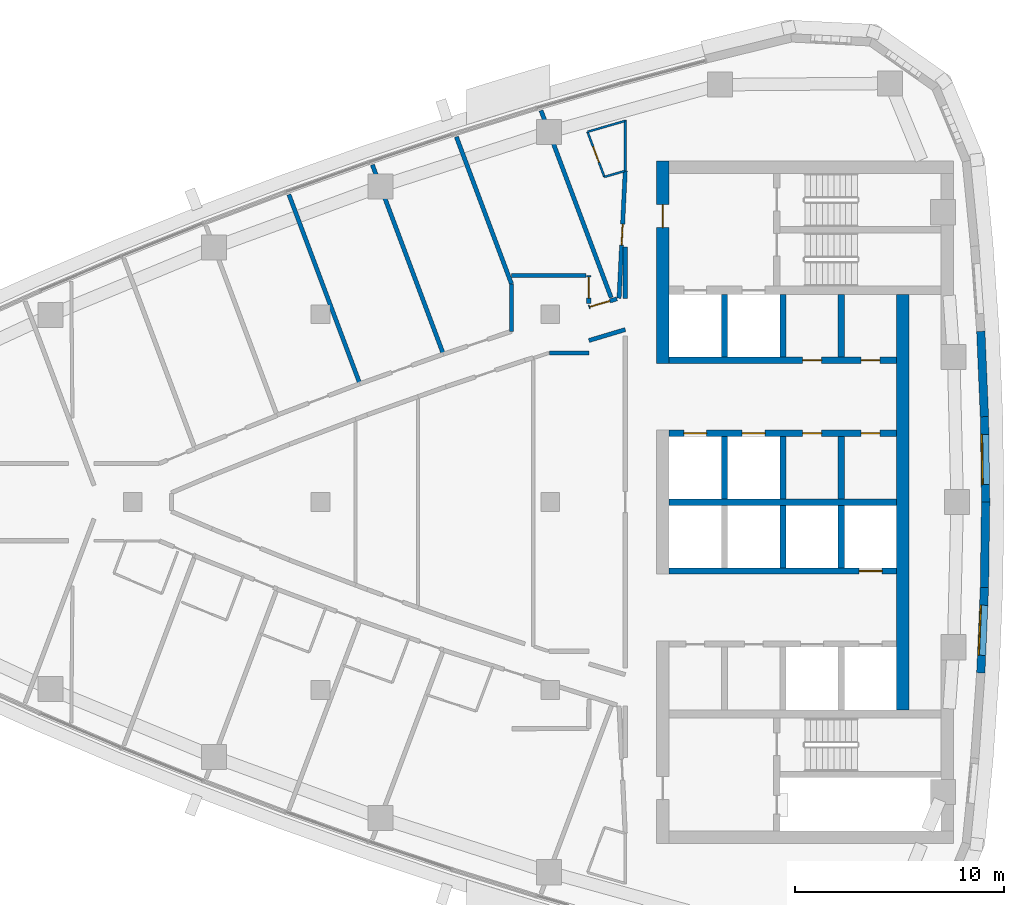
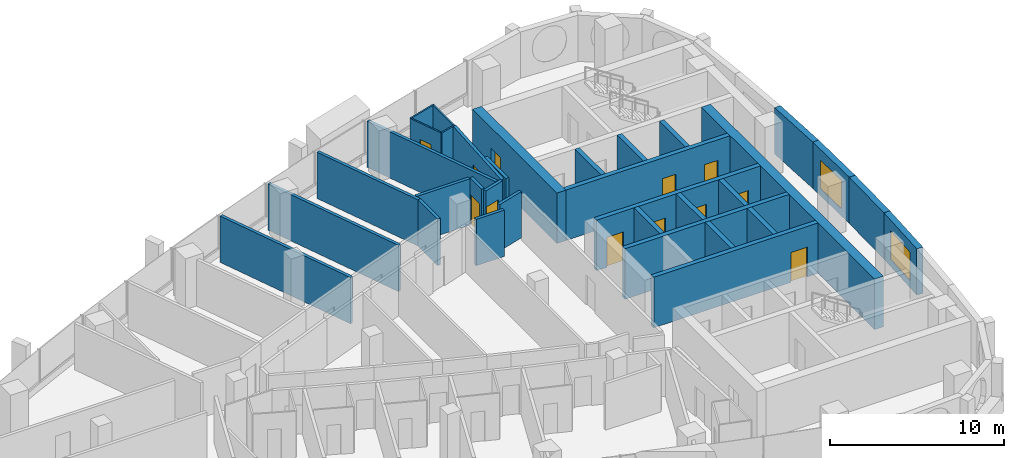
# One storey, part 11 of 16: 34 walls, 12 doors, 2 windows, 14 openings.
"""IFC4 building model written with IfcOpenShell, lengths in metres."""

import ifcopenshell
import ifcopenshell.guid

model = None  # the IFC model being written
_history = None  # IfcOwnerHistory: only IFC2X3 demands one
_inside = {}  # id of a spatial element -> (the spatial element, [elements in it])
_under = {}  # id of a project, library or spatial element -> (it, [spatial elements below it])
_declared = {}  # id of a project -> (the project, [libraries it declares])
_typed = {}  # id of a type object -> (the type object, [elements of that type])
_made_of = {}  # id of a material, layer set ... -> (it, [elements and type objects made of it])


def new_model(schema):
    """Start an empty IFC model of exactly this schema.

    Asked for "IFC4X3", IfcOpenShell would pick the latest addendum, in which some entities
    have other attributes; the version numbers below select the first issue.
    IFC2X3 requires an IfcOwnerHistory on every rooted entity: one is made here for all.
    """
    global model, _history
    if schema == "IFC4X3":
        model = ifcopenshell.file(schema_version=(4, 3, 0, 0))
    else:
        model = ifcopenshell.file(schema=schema)
    _inside.clear()
    _under.clear()
    _declared.clear()
    _typed.clear()
    _made_of.clear()
    _history = None
    if model.schema == "IFC2X3":
        org = make("IfcOrganization", Name="unknown")
        user = make(
            "IfcPersonAndOrganization",
            ThePerson=make("IfcPerson", FamilyName="unknown"),
            TheOrganization=org,
        )
        app = make(
            "IfcApplication",
            ApplicationDeveloper=org,
            Version="unknown",
            ApplicationFullName="unknown",
            ApplicationIdentifier="unknown",
        )
        _history = make(
            "IfcOwnerHistory",
            OwningUser=user,
            OwningApplication=app,
            ChangeAction="ADDED",
            CreationDate=0,
        )
    return model


def make(cls, **values):
    """One entity of the class cls with the attributes given. An attribute that is None is left unset."""
    return model.create_entity(
        cls, **{name: value for name, value in values.items() if value is not None}
    )


def rooted(cls, **values):
    """An entity with a GlobalId (a new one), such as an element, a storey or a relation."""
    return make(cls, GlobalId=ifcopenshell.guid.new(), OwnerHistory=_history, **values)


def si_unit(unit_type, name, prefix=None):
    """IfcSIUnit, for example si_unit("LENGTHUNIT", "METRE", prefix="MILLI")."""
    return make("IfcSIUnit", UnitType=unit_type, Prefix=prefix, Name=name)


def assignment(units):
    """IfcUnitAssignment: the units of a project."""
    return None if units is None else make("IfcUnitAssignment", Units=units)


def point(xyz):
    """IfcCartesianPoint."""
    return None if xyz is None else make("IfcCartesianPoint", Coordinates=xyz)


def direction(xyz):
    """IfcDirection."""
    return None if xyz is None else make("IfcDirection", DirectionRatios=xyz)


def frame(location, z_axis=None, x_axis=None):
    """IfcAxis2Placement3D, a coordinate frame: its origin and axes. An axis left out is left unset."""
    return make(
        "IfcAxis2Placement3D",
        Location=point(location),
        Axis=direction(z_axis),
        RefDirection=direction(x_axis),
    )


def frame_2d(location, x_axis=None):
    """IfcAxis2Placement2D, a coordinate frame in the plane: its origin and x axis."""
    return make(
        "IfcAxis2Placement2D", Location=point(location), RefDirection=direction(x_axis)
    )


def origin():
    """The frame at (0, 0, 0) with its axes left unset."""
    return frame((0.0, 0.0, 0.0))


def place(relative_to, where):
    """IfcLocalPlacement: puts the frame where relative to a parent placement (None: the world)."""
    return make(
        "IfcLocalPlacement", PlacementRelTo=relative_to, RelativePlacement=where
    )


def context(
    kind, dimensions, precision=None, world=None, true_north=None, identifier=None
):
    """IfcGeometricRepresentationContext, for example the 3D "Model" context."""
    return make(
        "IfcGeometricRepresentationContext",
        ContextIdentifier=identifier,
        ContextType=kind,
        CoordinateSpaceDimension=dimensions,
        Precision=precision,
        WorldCoordinateSystem=world,
        TrueNorth=true_north,
    )


def subcontext(parent, identifier, kind, view, scale=None):
    """IfcGeometricRepresentationSubContext, for example "Body" below "Model"."""
    return make(
        "IfcGeometricRepresentationSubContext",
        ContextIdentifier=identifier,
        ContextType=kind,
        ParentContext=parent,
        TargetScale=scale,
        TargetView=view,
    )


def project(units=None, contexts=None):
    """IfcProject with its units and contexts."""
    return rooted(
        "IfcProject",
        Name="project",
        RepresentationContexts=contexts,
        UnitsInContext=assignment(units),
    )


def spatial(cls, under=None, at=None, **own):
    """A site, building, storey or space (cls), placed at a placement, below another one or the project."""
    s = rooted(cls, ObjectPlacement=at, **own)
    if under is not None:
        _under.setdefault(under.id(), (under, []))[1].append(s)
    return s


def polyline(points):
    """IfcPolyline through the points."""
    return make("IfcPolyline", Points=[point(p) for p in points])


def profile(cls, at=None, kind="AREA", **sizes):
    """A parametric profile (cls). Its sizes go by their IFC names, for example OverallWidth=200.0."""
    return make(cls, ProfileType=kind, Position=at, **sizes)


def rectangle(**sizes):
    """IfcRectangleProfileDef."""
    return profile("IfcRectangleProfileDef", **sizes)


def outline(outer, holes=None, kind="AREA"):
    """IfcArbitraryClosedProfileDef: a profile drawn as a closed curve; with holes, ...WithVoids."""
    if holes is None:
        return make("IfcArbitraryClosedProfileDef", ProfileType=kind, OuterCurve=outer)
    return make(
        "IfcArbitraryProfileDefWithVoids",
        ProfileType=kind,
        OuterCurve=outer,
        InnerCurves=holes,
    )


def extrude(swept, where, along, depth):
    """IfcExtrudedAreaSolid: the profile swept, set in the frame where, extruded along a direction by depth."""
    return make(
        "IfcExtrudedAreaSolid",
        SweptArea=swept,
        Position=where,
        ExtrudedDirection=direction(along),
        Depth=depth,
    )


def shape(context_of_items, identifier, shape_type, items):
    """IfcShapeRepresentation: the items that make up one representation, for example the "Body"."""
    return make(
        "IfcShapeRepresentation",
        ContextOfItems=context_of_items,
        RepresentationIdentifier=identifier,
        RepresentationType=shape_type,
        Items=items,
    )


def material(Name=None, Category=None):
    """IfcMaterial."""
    return make("IfcMaterial", Name=Name, Category=Category)


def layer(
    of_material, thickness, ventilated=None, Name=None, Category=None, Priority=None
):
    """IfcMaterialLayer: one layer of a wall or slab, of a material (None: an air gap)."""
    return make(
        "IfcMaterialLayer",
        Material=of_material,
        LayerThickness=thickness,
        IsVentilated=ventilated,
        Name=Name,
        Category=Category,
        Priority=Priority,
    )


def layer_set(layers, Name=None):
    """IfcMaterialLayerSet."""
    return make("IfcMaterialLayerSet", MaterialLayers=layers, LayerSetName=Name)


def made_of(thing, what):
    """Note that an element or type object is made of a material, layer set ...; save() writes the relation."""
    if what is not None:
        _made_of.setdefault(what.id(), (what, []))[1].append(thing)
    return thing


def type_object(cls, material=None, **own):
    """A type object (cls), such as IfcWallType, which elements share."""
    return made_of(rooted(cls, **own), material)


def element(
    cls,
    number,
    at=None,
    inside=None,
    cuts=None,
    type_object=None,
    material=None,
    context=None,
    identifier="Body",
    shape_type=None,
    held_by="IfcProductDefinitionShape",
    body=None,
    shapes=None,
    **own,
):
    """One element of the class cls, such as IfcWall. Its Tag is "e" and its number.

    at: its placement. inside: the storey or other place that contains it. cuts: it is an
    opening in that element (IfcRelVoidsElement). A single representation is given by context,
    identifier, shape_type and body (its items); several are given by shapes. held_by: the class
    of the entity that holds the representations. save() writes the other relations.
    """
    e = rooted(cls, Tag="e%d" % number, ObjectPlacement=at, **own)
    if body is not None:
        shapes = [shape(context, identifier, shape_type, body)]
    if shapes is not None:
        e.Representation = make(held_by, Representations=shapes)
    if inside is not None:
        _inside.setdefault(inside.id(), (inside, []))[1].append(e)
    if cuts is not None:
        rooted(
            "IfcRelVoidsElement", RelatingBuildingElement=cuts, RelatedOpeningElement=e
        )
    if type_object is not None:
        _typed.setdefault(type_object.id(), (type_object, []))[1].append(e)
    return made_of(e, material)


def fill(opening, filler):
    """IfcRelFillsElement: the door or window that sits in an opening."""
    return rooted(
        "IfcRelFillsElement",
        RelatingOpeningElement=opening,
        RelatedBuildingElement=filler,
    )


def aggregate(whole, parts):
    """IfcRelAggregates: a whole, such as a stair, and the parts it consists of."""
    return rooted("IfcRelAggregates", RelatingObject=whole, RelatedObjects=parts)


def save(model, path):
    """Write the relations noted so far, then the file.

    IfcRelAggregates (storeys below a building ...), IfcRelContainedInSpatialStructure (elements
    in a storey), IfcRelDefinesByType, IfcRelAssociatesMaterial and IfcRelDeclares: one each for
    every whole, place, type object, material and project.
    """
    for whole, parts in _under.values():
        aggregate(whole, parts)
    for where, things in _inside.values():
        rooted(
            "IfcRelContainedInSpatialStructure",
            RelatedElements=things,
            RelatingStructure=where,
        )
    for kind, things in _typed.values():
        rooted("IfcRelDefinesByType", RelatedObjects=things, RelatingType=kind)
    for what, things in _made_of.values():
        rooted("IfcRelAssociatesMaterial", RelatedObjects=things, RelatingMaterial=what)
    for by, libraries in _declared.values():
        rooted("IfcRelDeclares", RelatingContext=by, RelatedDefinitions=libraries)
    model.write(path)


model = new_model("IFC4")

# Units and contexts
model_context = context("Model", 3, precision=1e-05, world=origin(), true_north=direction((0.0, 1.0)))
body_context = subcontext(model_context, "Body", "Model", "MODEL_VIEW")
ifc_project = project(units=[si_unit("LENGTHUNIT", "METRE"), si_unit("AREAUNIT", "SQUARE_METRE"), si_unit("VOLUMEUNIT", "CUBIC_METRE"), si_unit("PLANEANGLEUNIT", "RADIAN"), si_unit("MASSUNIT", "GRAM", prefix="KILO")], contexts=[model_context])

# Site, building, storey
site_placement = place(None, origin())
site = spatial("IfcSite", under=ifc_project, at=site_placement, CompositionType="ELEMENT")
building_placement = place(site_placement, origin())
building = spatial("IfcBuilding", under=site, at=building_placement, Name="Ostrand Prow Hotel Tower", CompositionType="ELEMENT")
storey_placement = place(building_placement, frame((0.0, 0.0, 245.64990234375)))
storey = spatial("IfcBuildingStorey", under=building, at=storey_placement, Name="L62", CompositionType="ELEMENT", Elevation=245.64990234375)

# Wall
ifc_material_1 = material(Name="Concrete C50/60", Category="concrete")
ifc_layer_1 = layer(ifc_material_1, 0.300048828125)
ifc_layer_set_1 = layer_set([ifc_layer_1], Name="Concrete C50/60")
wall_type_1 = type_object("IfcWallType", Name="Core wall 300 C50/60", PredefinedType="SHEAR", material=ifc_layer_set_1)
wall_1_placement = place(storey_placement, frame((50.699951171875, 0.0, 0.0), z_axis=(0.0, 0.0, 1.0), x_axis=(1.0, 0.0, 0.0)))
element("IfcWall", 1, at=wall_1_placement, inside=storey, type_object=wall_type_1, Name="Core wall PW-C", PredefinedType="SHEAR", context=body_context, shape_type="SweptSolid", body=[
    extrude(rectangle(XDim=10.900146484375, YDim=0.300048828125, at=frame_2d((5.4501953125, 0.0))), origin(), (0.0, 0.0, 1.0), 3.550048828125),
])

# Wall, openings, doors
wall_2_placement = place(storey_placement, frame((50.699951171875, 3.300048828125, 0.0), z_axis=(0.0, 0.0, 1.0), x_axis=(1.0, 0.0, 0.0)))
wall_2 = element("IfcWall", 2, at=wall_2_placement, inside=storey, type_object=wall_type_1, Name="Core wall PW-L1-N", PredefinedType="SHEAR", context=body_context, shape_type="SweptSolid", body=[
    extrude(rectangle(XDim=10.900146484375, YDim=0.300048828125, at=frame_2d((5.4501953125, 0.0))), origin(), (0.0, 0.0, 1.0), 3.550048828125),
])
opening_1_placement = place(wall_2_placement, frame((0.699951171875, 0.0, 0.0)))
opening_1 = element("IfcOpeningElement", 3, at=opening_1_placement, cuts=wall_2, Name="Opening LD", PredefinedType="OPENING", context=body_context, shape_type="SweptSolid", body=[
    extrude(rectangle(XDim=1.10009765625, YDim=2.10009765625, at=frame_2d((0.550048828125, 1.050048828125))), frame((0.0, 0.159912109375, 0.0), z_axis=(0.0, -1.0, 0.0), x_axis=(1.0, 0.0, 0.0)), (0.0, 0.0, 1.0), 0.320068359375),
])
opening_2_placement = place(wall_2_placement, frame((3.5, 0.0, 0.0)))
opening_2 = element("IfcOpeningElement", 4, at=opening_2_placement, cuts=wall_2, Name="Opening LD", PredefinedType="OPENING", context=body_context, shape_type="SweptSolid", body=[
    extrude(rectangle(XDim=1.10009765625, YDim=2.10009765625, at=frame_2d((0.550048828125, 1.050048828125))), frame((0.0, 0.159912109375, 0.0), z_axis=(0.0, -1.0, 0.0), x_axis=(1.0, 0.0, 0.0)), (0.0, 0.0, 1.0), 0.320068359375),
])
opening_3_placement = place(wall_2_placement, frame((6.39990234375, 0.0, 0.0)))
opening_3 = element("IfcOpeningElement", 5, at=opening_3_placement, cuts=wall_2, Name="Opening FD2", PredefinedType="OPENING", context=body_context, shape_type="SweptSolid", body=[
    extrude(rectangle(XDim=0.89990234375, YDim=2.10009765625, at=frame_2d((0.449951171875, 1.050048828125))), frame((0.0, 0.159912109375, 0.0), z_axis=(0.0, -1.0, 0.0), x_axis=(1.0, 0.0, 0.0)), (0.0, 0.0, 1.0), 0.320068359375),
])
opening_4_placement = place(wall_2_placement, frame((9.199951171875, 0.0, 0.0)))
opening_4 = element("IfcOpeningElement", 6, at=opening_4_placement, cuts=wall_2, Name="Opening FD2", PredefinedType="OPENING", context=body_context, shape_type="SweptSolid", body=[
    extrude(rectangle(XDim=0.89990234375, YDim=2.10009765625, at=frame_2d((0.449951171875, 1.050048828125))), frame((0.0, 0.159912109375, 0.0), z_axis=(0.0, -1.0, 0.0), x_axis=(1.0, 0.0, 0.0)), (0.0, 0.0, 1.0), 0.320068359375),
])
ifc_material_2 = material(Name="Steel fire door", Category="steel")
door_type_1 = type_object("IfcDoorType", Name="Fire door 900 EI120", OperationType="SINGLE_SWING_LEFT", PredefinedType="DOOR", material=ifc_material_2)
door_1_placement = place(opening_3_placement, origin())
door_1 = element("IfcDoor", 7, at=door_1_placement, inside=storey, type_object=door_type_1, Name="DOOR", OperationType="SINGLE_SWING_LEFT", OverallHeight=2.10009765625, OverallWidth=0.89990234375, PredefinedType="DOOR", context=body_context, shape_type="SweptSolid", body=[
    extrude(rectangle(XDim=0.89990234375, YDim=2.10009765625, at=frame_2d((0.449951171875, 1.050048828125))), frame((0.0, 0.02490234375, 0.0), z_axis=(0.0, -1.0, 0.0), x_axis=(1.0, 0.0, 0.0)), (0.0, 0.0, 1.0), 0.050048828125),
])
fill(opening_3, door_1)
door_2_placement = place(opening_4_placement, origin())
door_2 = element("IfcDoor", 8, at=door_2_placement, inside=storey, type_object=door_type_1, Name="DOOR", OperationType="SINGLE_SWING_LEFT", OverallHeight=2.10009765625, OverallWidth=0.89990234375, PredefinedType="DOOR", context=body_context, shape_type="SweptSolid", body=[
    extrude(rectangle(XDim=0.89990234375, YDim=2.10009765625, at=frame_2d((0.449951171875, 1.050048828125))), frame((0.0, 0.02490234375, 0.0), z_axis=(0.0, -1.0, 0.0), x_axis=(1.0, 0.0, 0.0)), (0.0, 0.0, 1.0), 0.050048828125),
])
fill(opening_4, door_2)
ifc_material_3 = material(Name="Stainless steel door", Category="steel")
door_type_2 = type_object("IfcDoorType", Name="Lift landing door 1100", OperationType="DOUBLE_DOOR_SLIDING", PredefinedType="DOOR", material=ifc_material_3)
door_3_placement = place(opening_1_placement, origin())
door_3 = element("IfcDoor", 9, at=door_3_placement, inside=storey, type_object=door_type_2, Name="LIFT LANDING DOOR", OperationType="DOUBLE_DOOR_SLIDING", OverallHeight=2.10009765625, OverallWidth=1.10009765625, PredefinedType="DOOR", context=body_context, shape_type="SweptSolid", body=[
    extrude(rectangle(XDim=1.10009765625, YDim=2.10009765625, at=frame_2d((0.550048828125, 1.050048828125))), frame((0.0, 0.02490234375, 0.0), z_axis=(0.0, -1.0, 0.0), x_axis=(1.0, 0.0, 0.0)), (0.0, 0.0, 1.0), 0.050048828125),
])
fill(opening_1, door_3)
door_4_placement = place(opening_2_placement, origin())
door_4 = element("IfcDoor", 10, at=door_4_placement, inside=storey, type_object=door_type_2, Name="LIFT LANDING DOOR", OperationType="DOUBLE_DOOR_SLIDING", OverallHeight=2.10009765625, OverallWidth=1.10009765625, PredefinedType="DOOR", context=body_context, shape_type="SweptSolid", body=[
    extrude(rectangle(XDim=1.10009765625, YDim=2.10009765625, at=frame_2d((0.550048828125, 1.050048828125))), frame((0.0, 0.02490234375, 0.0), z_axis=(0.0, -1.0, 0.0), x_axis=(1.0, 0.0, 0.0)), (0.0, 0.0, 1.0), 0.050048828125),
])
fill(opening_2, door_4)

wall_3_placement = place(storey_placement, frame((50.699951171875, 6.800048828125, 0.0), z_axis=(0.0, 0.0, 1.0), x_axis=(1.0, 0.0, 0.0)))
wall_3 = element("IfcWall", 11, at=wall_3_placement, inside=storey, type_object=wall_type_1, Name="Core wall PW-L2-N", PredefinedType="SHEAR", context=body_context, shape_type="SweptSolid", body=[
    extrude(rectangle(XDim=10.900146484375, YDim=0.300048828125, at=frame_2d((5.4501953125, 0.0))), origin(), (0.0, 0.0, 1.0), 3.550048828125),
])
opening_5_placement = place(wall_3_placement, frame((6.39990234375, 0.0, 0.0)))
opening_5 = element("IfcOpeningElement", 12, at=opening_5_placement, cuts=wall_3, Name="Opening FD2", PredefinedType="OPENING", context=body_context, shape_type="SweptSolid", body=[
    extrude(rectangle(XDim=0.89990234375, YDim=2.10009765625, at=frame_2d((0.449951171875, 1.050048828125))), frame((0.0, 0.159912109375, 0.0), z_axis=(0.0, -1.0, 0.0), x_axis=(1.0, 0.0, 0.0)), (0.0, 0.0, 1.0), 0.320068359375),
])
opening_6_placement = place(wall_3_placement, frame((9.199951171875, 0.0, 0.0)))
opening_6 = element("IfcOpeningElement", 13, at=opening_6_placement, cuts=wall_3, Name="Opening FD2", PredefinedType="OPENING", context=body_context, shape_type="SweptSolid", body=[
    extrude(rectangle(XDim=0.89990234375, YDim=2.10009765625, at=frame_2d((0.449951171875, 1.050048828125))), frame((0.0, 0.159912109375, 0.0), z_axis=(0.0, -1.0, 0.0), x_axis=(1.0, 0.0, 0.0)), (0.0, 0.0, 1.0), 0.320068359375),
])
door_5_placement = place(opening_5_placement, origin())
door_5 = element("IfcDoor", 14, at=door_5_placement, inside=storey, type_object=door_type_1, Name="DOOR", OperationType="SINGLE_SWING_LEFT", OverallHeight=2.10009765625, OverallWidth=0.89990234375, PredefinedType="DOOR", context=body_context, shape_type="SweptSolid", body=[
    extrude(rectangle(XDim=0.89990234375, YDim=2.10009765625, at=frame_2d((0.449951171875, 1.050048828125))), frame((0.0, 0.02490234375, 0.0), z_axis=(0.0, -1.0, 0.0), x_axis=(1.0, 0.0, 0.0)), (0.0, 0.0, 1.0), 0.050048828125),
])
fill(opening_5, door_5)
door_6_placement = place(opening_6_placement, origin())
door_6 = element("IfcDoor", 15, at=door_6_placement, inside=storey, type_object=door_type_1, Name="DOOR", OperationType="SINGLE_SWING_LEFT", OverallHeight=2.10009765625, OverallWidth=0.89990234375, PredefinedType="DOOR", context=body_context, shape_type="SweptSolid", body=[
    extrude(rectangle(XDim=0.89990234375, YDim=2.10009765625, at=frame_2d((0.449951171875, 1.050048828125))), frame((0.0, 0.02490234375, 0.0), z_axis=(0.0, -1.0, 0.0), x_axis=(1.0, 0.0, 0.0)), (0.0, 0.0, 1.0), 0.050048828125),
])
fill(opening_6, door_6)

# Walls
for number, where, z_axis, x_axis, name in (
    (16, (53.35009765625, 0.14990234375, 0.0), (0.0, 0.0, 1.0), (0.0, 1.0, 0.0), "Core wall PW-R1-NB"),
    (17, (53.35009765625, 6.949951171875, 0.0), (0.0, 0.0, 1.0), (0.0, 1.0, 0.0), "Core wall PW-R1-NA"),
    (18, (56.14990234375, 0.14990234375, 0.0), (0.0, 0.0, 1.0), (0.0, 1.0, 0.0), "Core wall PW-R2-NB"),
    (19, (56.14990234375, 6.949951171875, 0.0), (0.0, 0.0, 1.0), (0.0, 1.0, 0.0), "Core wall PW-R2-NA"),
    (20, (58.949951171875, 0.14990234375, 0.0), (0.0, 0.0, 1.0), (0.0, 1.0, 0.0), "Core wall PW-R3-NB"),
    (21, (58.949951171875, 6.949951171875, 0.0), (0.0, 0.0, 1.0), (0.0, 1.0, 0.0), "Core wall PW-R3-NA"),
):
    element("IfcWall", number, at=place(storey_placement, frame(where, z_axis=z_axis, x_axis=x_axis)), inside=storey, type_object=wall_type_1, Name=name, PredefinedType="SHEAR", context=body_context, shape_type="SweptSolid", body=[
        extrude(rectangle(XDim=3.0, YDim=0.300048828125, at=frame_2d((1.5, 0.0))), origin(), (0.0, 0.0, 1.0), 3.550048828125),
    ])

# Wall, opening, door
wall_4_placement = place(storey_placement, frame((50.699951171875, -3.300048828125, 0.0), z_axis=(0.0, 0.0, 1.0), x_axis=(1.0, 0.0, 0.0)))
wall_4 = element("IfcWall", 22, at=wall_4_placement, inside=storey, type_object=wall_type_1, Name="Core wall PW-L1-S", PredefinedType="SHEAR", context=body_context, shape_type="SweptSolid", body=[
    extrude(rectangle(XDim=10.900146484375, YDim=0.300048828125, at=frame_2d((5.4501953125, 0.0))), origin(), (0.0, 0.0, 1.0), 3.550048828125),
])
opening_7_placement = place(wall_4_placement, frame((9.10009765625, 0.0, 0.0)))
opening_7 = element("IfcOpeningElement", 23, at=opening_7_placement, cuts=wall_4, Name="Opening LD", PredefinedType="OPENING", context=body_context, shape_type="SweptSolid", body=[
    extrude(rectangle(XDim=1.10009765625, YDim=2.10009765625, at=frame_2d((0.550048828125, 1.050048828125))), frame((0.0, 0.159912109375, 0.0), z_axis=(0.0, -1.0, 0.0), x_axis=(1.0, 0.0, 0.0)), (0.0, 0.0, 1.0), 0.320068359375),
])
door_7_placement = place(opening_7_placement, origin())
door_7 = element("IfcDoor", 24, at=door_7_placement, inside=storey, type_object=door_type_2, Name="LIFT LANDING DOOR", OperationType="DOUBLE_DOOR_SLIDING", OverallHeight=2.10009765625, OverallWidth=1.10009765625, PredefinedType="DOOR", context=body_context, shape_type="SweptSolid", body=[
    extrude(rectangle(XDim=1.10009765625, YDim=2.10009765625, at=frame_2d((0.550048828125, 1.050048828125))), frame((0.0, 0.02490234375, 0.0), z_axis=(0.0, -1.0, 0.0), x_axis=(1.0, 0.0, 0.0)), (0.0, 0.0, 1.0), 0.050048828125),
])
fill(opening_7, door_7)

# Walls
for number, where, z_axis, x_axis, name in (
    (25, (56.14990234375, -3.14990234375, 0.0), (0.0, 0.0, 1.0), (0.0, 1.0, 0.0), "Core wall PW-R2-SB"),
    (26, (58.949951171875, -3.14990234375, 0.0), (0.0, 0.0, 1.0), (0.0, 1.0, 0.0), "Core wall PW-R3-SB"),
):
    element("IfcWall", number, at=place(storey_placement, frame(where, z_axis=z_axis, x_axis=x_axis)), inside=storey, type_object=wall_type_1, Name=name, PredefinedType="SHEAR", context=body_context, shape_type="SweptSolid", body=[
        extrude(rectangle(XDim=3.0, YDim=0.300048828125, at=frame_2d((1.5, 0.0))), origin(), (0.0, 0.0, 1.0), 3.550048828125),
    ])

# Wall, opening, door
ifc_material_4 = material(Name="Concrete C50/60", Category="concrete")
ifc_layer_2 = layer(ifc_material_4, 0.60009765625)
ifc_layer_set_2 = layer_set([ifc_layer_2], Name="Concrete C50/60")
wall_type_2 = type_object("IfcWallType", Name="Core wall 600 C50/60", PredefinedType="SHEAR", material=ifc_layer_set_2)
wall_5_placement = place(storey_placement, frame((50.39990234375, 6.64990234375, 0.0), z_axis=(0.0, 0.0, 1.0), x_axis=(0.0, 1.0, 0.0)))
wall_5 = element("IfcWall", 27, at=wall_5_placement, inside=storey, type_object=wall_type_2, Name="Core wall CW-W-N", PredefinedType="SHEAR", context=body_context, shape_type="SweptSolid", body=[
    extrude(rectangle(XDim=9.7001953125, YDim=0.60009765625, at=frame_2d((4.85009765625, 0.0))), origin(), (0.0, 0.0, 1.0), 3.550048828125),
])
opening_8_placement = place(wall_5_placement, frame((6.5, 0.0, 0.0)))
opening_8 = element("IfcOpeningElement", 28, at=opening_8_placement, cuts=wall_5, Name="Opening FD1", PredefinedType="OPENING", context=body_context, shape_type="SweptSolid", body=[
    extrude(rectangle(XDim=1.10009765625, YDim=2.10009765625, at=frame_2d((0.550048828125, 1.050048828125))), frame((0.0, 0.31005859375, 0.0), z_axis=(0.0, -1.0, 0.0), x_axis=(1.0, 0.0, 0.0)), (0.0, 0.0, 1.0), 0.6201171875),
])
ifc_material_5 = material(Name="Steel fire door", Category="steel")
door_type_3 = type_object("IfcDoorType", Name="Fire door 1100 EI120", OperationType="SINGLE_SWING_RIGHT", PredefinedType="DOOR", material=ifc_material_5)
door_8_placement = place(opening_8_placement, origin())
door_8 = element("IfcDoor", 29, at=door_8_placement, inside=storey, type_object=door_type_3, Name="FIRE DOOR", OperationType="SINGLE_SWING_RIGHT", OverallHeight=2.10009765625, OverallWidth=1.10009765625, PredefinedType="DOOR", context=body_context, shape_type="SweptSolid", body=[
    extrude(rectangle(XDim=1.10009765625, YDim=2.10009765625, at=frame_2d((0.550048828125, 1.050048828125))), frame((0.0, 0.02490234375, 0.0), z_axis=(0.0, -1.0, 0.0), x_axis=(1.0, 0.0, 0.0)), (0.0, 0.0, 1.0), 0.050048828125),
])
fill(opening_8, door_8)

# Walls
wall_6_placement = place(storey_placement, frame((61.89990234375, -9.949951171875, 0.0), z_axis=(0.0, 0.0, 1.0), x_axis=(0.0, 1.0, 0.0)))
element("IfcWall", 30, at=wall_6_placement, inside=storey, type_object=wall_type_2, Name="Core wall CW-E-C", PredefinedType="SHEAR", context=body_context, shape_type="SweptSolid", body=[
    extrude(rectangle(XDim=19.89990234375, YDim=0.60009765625, at=frame_2d((9.949951171875, 0.0))), origin(), (0.0, 0.0, 1.0), 3.550048828125),
])
ifc_material_6 = material(Name="Plasterboard partition")
ifc_layer_3 = layer(ifc_material_6, 0.10009765625)
ifc_layer_set_3 = layer_set([ifc_layer_3], Name="Plasterboard partition")
wall_type_3 = type_object("IfcWallType", Name="Partition 100 bathroom wall", PredefinedType="PARTITIONING", material=ifc_layer_set_3)
wall_7_placement = place(storey_placement, frame((46.78759765625, 17.741455078125, 0.0), z_axis=(0.0, 0.0, 1.0), x_axis=(0.960473980386, 0.278369777458, 0.0)))
element("IfcWall", 31, at=wall_7_placement, inside=storey, type_object=wall_type_3, Name="BATHROOM WALL", PredefinedType="PARTITIONING", context=body_context, shape_type="SweptSolid", body=[
    extrude(rectangle(XDim=1.86376953125, YDim=0.10009765625, at=frame_2d((0.931884765625, 0.0))), origin(), (0.0, 0.0, 1.0), 3.25),
])
wall_8_placement = place(storey_placement, frame((48.576416015625, 15.865234375, 0.0), z_axis=(0.0, 0.0, 1.0), x_axis=(-0.960468222897, -0.278389642057, 0.0)))
element("IfcWall", 32, at=wall_8_placement, inside=storey, type_object=wall_type_3, Name="BATHROOM WALL", PredefinedType="PARTITIONING", context=body_context, shape_type="SweptSolid", body=[
    extrude(rectangle(XDim=1.01904296875, YDim=0.10009765625, at=frame_2d((0.509521484375, 0.0))), origin(), (0.0, 0.0, 1.0), 3.25),
])

# Wall, opening, door
wall_9_placement = place(storey_placement, frame((47.59765625, 15.58154296875, 0.0), z_axis=(0.0, 0.0, 1.0), x_axis=(-0.351158236187, 0.936316128857, 0.0)))
wall_9 = element("IfcWall", 33, at=wall_9_placement, inside=storey, type_object=wall_type_3, Name="BATHROOM WALL", PredefinedType="PARTITIONING", context=body_context, shape_type="SweptSolid", body=[
    extrude(rectangle(XDim=2.306884765625, YDim=0.10009765625, at=frame_2d((1.1533203125, 0.0))), origin(), (0.0, 0.0, 1.0), 3.25),
])
opening_9_placement = place(wall_9_placement, frame((0.75, 0.0, 0.0)))
opening_9 = element("IfcOpeningElement", 34, at=opening_9_placement, cuts=wall_9, Name="Opening D2", PredefinedType="OPENING", context=body_context, shape_type="SweptSolid", body=[
    extrude(rectangle(XDim=0.800048828125, YDim=2.10009765625, at=frame_2d((0.39990234375, 1.050048828125))), frame((0.0, 0.06005859375, 0.0), z_axis=(0.0, -1.0, 0.0), x_axis=(1.0, 0.0, 0.0)), (0.0, 0.0, 1.0), 0.1201171875),
])
ifc_material_7 = material(Name="Timber door leaf", Category="wood")
door_type_4 = type_object("IfcDoorType", Name="Bathroom door 800", OperationType="SINGLE_SWING_LEFT", PredefinedType="DOOR", material=ifc_material_7)
door_9_placement = place(opening_9_placement, origin())
door_9 = element("IfcDoor", 35, at=door_9_placement, inside=storey, type_object=door_type_4, Name="DOOR", OperationType="SINGLE_SWING_LEFT", OverallHeight=2.10009765625, OverallWidth=0.800048828125, PredefinedType="DOOR", context=body_context, shape_type="SweptSolid", body=[
    extrude(rectangle(XDim=0.800048828125, YDim=2.10009765625, at=frame_2d((0.39990234375, 1.050048828125))), frame((0.0, 0.02490234375, 0.0), z_axis=(0.0, -1.0, 0.0), x_axis=(1.0, 0.0, 0.0)), (0.0, 0.0, 1.0), 0.050048828125),
])
fill(opening_9, door_9)

# Wall
wall_10_placement = place(storey_placement, frame((48.594970703125, 18.29638671875, 0.0), z_axis=(0.0, 0.0, 1.0), x_axis=(0.0, -1.0, 0.0)))
element("IfcWall", 36, at=wall_10_placement, inside=storey, type_object=wall_type_3, Name="BATHROOM WALL", PredefinedType="PARTITIONING", context=body_context, shape_type="SweptSolid", body=[
    extrude(rectangle(XDim=2.4306640625, YDim=0.10009765625, at=frame_2d((1.21533203125, 0.0))), origin(), (0.0, 0.0, 1.0), 3.25),
])

# Wall, opening, door
ifc_material_8 = material(Name="Plasterboard partition")
ifc_layer_4 = layer(ifc_material_8, 0.199951171875)
ifc_layer_set_4 = layer_set([ifc_layer_4], Name="Plasterboard partition")
wall_type_4 = type_object("IfcWallType", Name="Partition 200 corridor wall", PredefinedType="PARTITIONING", material=ifc_layer_set_4)
wall_11_placement = place(storey_placement, frame((48.198486328125, 9.7392578125, 0.0), z_axis=(0.0, 0.0, 1.0), x_axis=(-0.958866391875, -0.283857785753, 0.0)))
wall_11 = element("IfcWall", 37, at=wall_11_placement, inside=storey, type_object=wall_type_4, Name="CORRIDOR WALL", PredefinedType="PARTITIONING", context=body_context, shape_type="SweptSolid", body=[
    extrude(rectangle(XDim=1.40625, YDim=0.199951171875, at=frame_2d((0.703125, 0.0))), origin(), (0.0, 0.0, 1.0), 3.25),
])
opening_10_placement = place(wall_11_placement, frame((0.356201171875, 0.0, 0.0)))
opening_10 = element("IfcOpeningElement", 38, at=opening_10_placement, cuts=wall_11, Name="Opening D1R", PredefinedType="OPENING", context=body_context, shape_type="SweptSolid", body=[
    extrude(rectangle(XDim=1.0, YDim=2.10009765625, at=frame_2d((0.5, 1.050048828125))), frame((0.0, 0.10986328125, 0.0), z_axis=(0.0, -1.0, 0.0), x_axis=(1.0, 0.0, 0.0)), (0.0, 0.0, 1.0), 0.219970703125),
])
ifc_material_9 = material(Name="Timber door leaf", Category="wood")
door_type_5 = type_object("IfcDoorType", Name="Guest room door 1000 right", OperationType="SINGLE_SWING_RIGHT", PredefinedType="DOOR", material=ifc_material_9)
door_10_placement = place(opening_10_placement, origin())
door_10 = element("IfcDoor", 39, at=door_10_placement, inside=storey, type_object=door_type_5, Name="DOOR", OperationType="SINGLE_SWING_RIGHT", OverallHeight=2.10009765625, OverallWidth=1.0, PredefinedType="DOOR", context=body_context, shape_type="SweptSolid", body=[
    extrude(rectangle(XDim=1.0, YDim=2.10009765625, at=frame_2d((0.5, 1.050048828125))), frame((0.0, 0.02490234375, 0.0), z_axis=(0.0, -1.0, 0.0), x_axis=(1.0, 0.0, 0.0)), (0.0, 0.0, 1.0), 0.050048828125),
])
fill(opening_10, door_10)

wall_12_placement = place(storey_placement, frame((48.594970703125, 15.86572265625, 0.0), z_axis=(0.0, 0.0, 1.0), x_axis=(-0.048302241024, -0.998832765538, 0.0)))
wall_12 = element("IfcWall", 40, at=wall_12_placement, inside=storey, type_object=wall_type_4, Name="CORRIDOR WALL", PredefinedType="PARTITIONING", context=body_context, shape_type="SweptSolid", body=[
    extrude(rectangle(XDim=6.105712890625, YDim=0.199951171875, at=frame_2d((3.052734375, 0.0))), origin(), (0.0, 0.0, 1.0), 3.25),
])
opening_11_placement = place(wall_12_placement, frame((2.552978515625, 0.0, 0.0)))
opening_11 = element("IfcOpeningElement", 41, at=opening_11_placement, cuts=wall_12, Name="Opening D1", PredefinedType="OPENING", context=body_context, shape_type="SweptSolid", body=[
    extrude(rectangle(XDim=1.0, YDim=2.10009765625, at=frame_2d((0.5, 1.050048828125))), frame((0.0, 0.10986328125, 0.0), z_axis=(0.0, -1.0, 0.0), x_axis=(1.0, 0.0, 0.0)), (0.0, 0.0, 1.0), 0.219970703125),
])
ifc_material_10 = material(Name="Timber door leaf", Category="wood")
door_type_6 = type_object("IfcDoorType", Name="Guest room door 1000", OperationType="SINGLE_SWING_LEFT", PredefinedType="DOOR", material=ifc_material_10)
door_11_placement = place(opening_11_placement, origin())
door_11 = element("IfcDoor", 42, at=door_11_placement, inside=storey, type_object=door_type_6, Name="DOOR", OperationType="SINGLE_SWING_LEFT", OverallHeight=2.10009765625, OverallWidth=1.0, PredefinedType="DOOR", context=body_context, shape_type="SweptSolid", body=[
    extrude(rectangle(XDim=1.0, YDim=2.10009765625, at=frame_2d((0.5, 1.050048828125))), frame((0.0, 0.02490234375, 0.0), z_axis=(0.0, -1.0, 0.0), x_axis=(1.0, 0.0, 0.0)), (0.0, 0.0, 1.0), 0.050048828125),
])
fill(opening_11, door_11)

# Walls
wall_13_placement = place(storey_placement, frame((44.973388671875, 7.14501953125, 0.0), z_axis=(0.0, 0.0, 1.0), x_axis=(0.999999991552, 0.0001299883, 0.0)))
element("IfcWall", 43, at=wall_13_placement, inside=storey, type_object=wall_type_4, Name="CORRIDOR WALL", PredefinedType="PARTITIONING", context=body_context, shape_type="SweptSolid", body=[
    extrude(rectangle(XDim=1.878173828125, YDim=0.199951171875, at=frame_2d((0.93896484375, 0.0))), origin(), (0.0, 0.0, 1.0), 3.25),
])
wall_14_placement = place(storey_placement, frame((46.85498046875, 7.744140625, 0.0), z_axis=(0.0, 0.0, 1.0), x_axis=(0.958014760688, 0.286718883759, 0.0)))
element("IfcWall", 44, at=wall_14_placement, inside=storey, type_object=wall_type_4, Name="CORRIDOR WALL", PredefinedType="PARTITIONING", context=body_context, shape_type="SweptSolid", body=[
    extrude(rectangle(XDim=1.816162109375, YDim=0.199951171875, at=frame_2d((0.908203125, 0.0))), origin(), (0.0, 0.0, 1.0), 3.25),
])
wall_15_placement = place(storey_placement, frame((43.14990234375, 10.449951171875, 0.0), z_axis=(0.0, 0.0, 1.0), x_axis=(0.0, -1.0, 0.0)))
element("IfcWall", 45, at=wall_15_placement, inside=storey, type_object=wall_type_4, Name="CORRIDOR WALL", PredefinedType="PARTITIONING", context=body_context, shape_type="SweptSolid", body=[
    extrude(rectangle(XDim=2.267333984375, YDim=0.199951171875, at=frame_2d((1.1337890625, 0.0))), origin(), (0.0, 0.0, 1.0), 3.25),
])

# Wall, opening, door
wall_16_placement = place(storey_placement, frame((46.85009765625, 9.52001953125, 0.0), z_axis=(0.0, 0.0, 1.0), x_axis=(0.0007315287, 0.999999732433, 0.0)))
wall_16 = element("IfcWall", 46, at=wall_16_placement, inside=storey, type_object=wall_type_4, Name="CORRIDOR WALL", PredefinedType="PARTITIONING", context=body_context, shape_type="SweptSolid", body=[
    extrude(rectangle(XDim=1.3349609375, YDim=0.199951171875, at=frame_2d((0.66748046875, 0.0))), origin(), (0.0, 0.0, 1.0), 3.25),
])
opening_12_placement = place(wall_16_placement, frame((0.257080078125, 0.0, 0.0)))
opening_12 = element("IfcOpeningElement", 47, at=opening_12_placement, cuts=wall_16, Name="Opening D1", PredefinedType="OPENING", context=body_context, shape_type="SweptSolid", body=[
    extrude(rectangle(XDim=1.0, YDim=2.10009765625, at=frame_2d((0.5, 1.050048828125))), frame((0.0, 0.10986328125, 0.0), z_axis=(0.0, -1.0, 0.0), x_axis=(1.0, 0.0, 0.0)), (0.0, 0.0, 1.0), 0.219970703125),
])
door_12_placement = place(opening_12_placement, origin())
door_12 = element("IfcDoor", 48, at=door_12_placement, inside=storey, type_object=door_type_6, Name="DOOR", OperationType="SINGLE_SWING_LEFT", OverallHeight=2.10009765625, OverallWidth=1.0, PredefinedType="DOOR", context=body_context, shape_type="SweptSolid", body=[
    extrude(rectangle(XDim=1.0, YDim=2.10009765625, at=frame_2d((0.5, 1.050048828125))), frame((0.0, 0.02490234375, 0.0), z_axis=(0.0, -1.0, 0.0), x_axis=(1.0, 0.0, 0.0)), (0.0, 0.0, 1.0), 0.050048828125),
])
fill(opening_12, door_12)

# Walls
wall_17_placement = place(storey_placement, frame((46.7109375, 10.85498046875, 0.0), z_axis=(0.0, 0.0, 1.0), x_axis=(-1.0, 0.0, 0.0)))
element("IfcWall", 49, at=wall_17_placement, inside=storey, type_object=wall_type_4, Name="CORRIDOR WALL", PredefinedType="PARTITIONING", context=body_context, shape_type="SweptSolid", body=[
    extrude(rectangle(XDim=3.5615234375, YDim=0.199951171875, at=frame_2d((1.78076171875, 0.0))), origin(), (0.0, 0.0, 1.0), 3.25),
])
wall_18_placement = place(storey_placement, frame((48.60009765625, 9.755126953125, 0.0), z_axis=(0.0, 0.0, 1.0), x_axis=(0.0, 1.0, 0.0)))
element("IfcWall", 50, at=wall_18_placement, inside=storey, type_object=wall_type_4, Name="CORRIDOR WALL", PredefinedType="PARTITIONING", context=body_context, shape_type="SweptSolid", body=[
    extrude(rectangle(XDim=2.468505859375, YDim=0.199951171875, at=frame_2d((1.234375, 0.0))), origin(), (0.0, 0.0, 1.0), 3.25),
])
ifc_material_11 = material(Name="Plasterboard partition")
ifc_layer_5 = layer(ifc_material_11, 0.199951171875)
ifc_layer_set_5 = layer_set([ifc_layer_5], Name="Plasterboard partition")
wall_type_5 = type_object("IfcWallType", Name="Partition 200 key partition", PredefinedType="PARTITIONING", material=ifc_layer_set_5)
wall_19_placement = place(storey_placement, frame((35.888916015625, 5.654296875, 0.0), z_axis=(0.0, 0.0, 1.0), x_axis=(-0.351117925717, 0.936331246002, 0.0)))
element("IfcWall", 51, at=wall_19_placement, inside=storey, type_object=wall_type_5, Name="KEY PARTITION", PredefinedType="PARTITIONING", context=body_context, shape_type="SweptSolid", body=[
    extrude(rectangle(XDim=9.701171875, YDim=0.199951171875, at=frame_2d((4.8505859375, 0.0))), origin(), (0.0, 0.0, 1.0), 3.25),
])
wall_20_placement = place(storey_placement, frame((39.889404296875, 7.072265625, 0.0), z_axis=(0.0, 0.0, 1.0), x_axis=(-0.35112895446, 0.936327110224, 0.0)))
element("IfcWall", 52, at=wall_20_placement, inside=storey, type_object=wall_type_5, Name="KEY PARTITION", PredefinedType="PARTITIONING", context=body_context, shape_type="SweptSolid", body=[
    extrude(rectangle(XDim=9.706298828125, YDim=0.199951171875, at=frame_2d((4.85302734375, 0.0))), origin(), (0.0, 0.0, 1.0), 3.25),
])
wall_21_placement = place(storey_placement, frame((43.14990234375, 10.449951171875, 0.0), z_axis=(0.0, 0.0, 1.0), x_axis=(-0.351119888923, 0.936330509811, 0.0)))
element("IfcWall", 53, at=wall_21_placement, inside=storey, type_object=wall_type_5, Name="KEY PARTITION", PredefinedType="PARTITIONING", context=body_context, shape_type="SweptSolid", body=[
    extrude(rectangle(XDim=7.531005859375, YDim=0.199951171875, at=frame_2d((3.765625, 0.0))), origin(), (0.0, 0.0, 1.0), 3.25),
])
wall_22_placement = place(storey_placement, frame((47.919921875, 9.802734375, 0.0), z_axis=(0.0, 0.0, 1.0), x_axis=(-0.351123441588, 0.936329177569, 0.0)))
element("IfcWall", 54, at=wall_22_placement, inside=storey, type_object=wall_type_5, Name="KEY PARTITION", PredefinedType="PARTITIONING", context=body_context, shape_type="SweptSolid", body=[
    extrude(rectangle(XDim=9.568115234375, YDim=0.199951171875, at=frame_2d((4.7841796875, 0.0))), origin(), (0.0, 0.0, 1.0), 3.25),
])

# Wall, opening, window
ifc_material_12 = material(Name="Precast concrete C40/50", Category="concrete")
ifc_layer_6 = layer(ifc_material_12, 0.39990234375)
ifc_layer_set_6 = layer_set([ifc_layer_6], Name="Precast concrete C40/50")
wall_type_6 = type_object("IfcWallType", Name="Stone-faced precast wall 400 mm", PredefinedType="NOTDEFINED", material=ifc_layer_set_6)
wall_23_placement = place(storey_placement, frame((65.630615234375, -8.181640625, 0.0), z_axis=(0.0, 0.0, 1.0), x_axis=(0.042352554594, 0.999102728011, 0.0)))
wall_23 = element("IfcWall", 55, at=wall_23_placement, inside=storey, type_object=wall_type_6, Name="Stone-faced wall back 7", PredefinedType="NOTDEFINED", context=body_context, shape_type="SweptSolid", body=[
    extrude(outline(polyline([(-0.002685546875, -0.199951171875), (4.095458984375, -0.199951171875), (4.090087890625, 0.199951171875), (0.002685546875, 0.199951171875), (-0.002685546875, -0.199951171875)])), origin(), (0.0, 0.0, 1.0), 3.25),
])
opening_13_placement = place(wall_23_placement, frame((0.846435546875, 0.0, 0.5)))
opening_13 = element("IfcOpeningElement", 56, at=opening_13_placement, cuts=wall_23, Name="Opening WA1", PredefinedType="OPENING", context=body_context, shape_type="SweptSolid", body=[
    extrude(rectangle(XDim=2.39990234375, YDim=2.0, at=frame_2d((1.199951171875, 1.0))), frame((0.0, 0.2099609375, 0.0), z_axis=(0.0, -1.0, 0.0), x_axis=(1.0, 0.0, 0.0)), (0.0, 0.0, 1.0), 0.419921875),
])
ifc_material_13 = material(Name="Insulated glass in bronze frame", Category="glass")
window_type = type_object("IfcWindowType", Name="Amenity picture window 2400x2000", PartitioningType="SINGLE_PANEL", PredefinedType="WINDOW", material=ifc_material_13)
window_1_placement = place(opening_13_placement, origin())
window_1 = element("IfcWindow", 57, at=window_1_placement, inside=storey, type_object=window_type, Name="Window back 7.1", OverallHeight=2.0, OverallWidth=2.39990234375, PartitioningType="SINGLE_PANEL", PredefinedType="WINDOW", context=body_context, shape_type="SweptSolid", body=[
    extrude(rectangle(XDim=2.39990234375, YDim=2.0, at=frame_2d((1.199951171875, 1.0))), frame((0.0, 0.169921875, 0.0), z_axis=(0.0, -1.0, 0.0), x_axis=(1.0, 0.0, 0.0)), (0.0, 0.0, 1.0), 0.06005859375),
])
fill(opening_13, window_1)

# Wall
wall_24_placement = place(storey_placement, frame((65.803955078125, -4.092529296875, 0.0), z_axis=(0.0, 0.0, 1.0), x_axis=(0.014136867892, 0.99990006949, 0.0)))
element("IfcWall", 58, at=wall_24_placement, inside=storey, type_object=wall_type_6, Name="Stone-faced wall back 8", PredefinedType="NOTDEFINED", context=body_context, shape_type="SweptSolid", body=[
    extrude(outline(polyline([(-0.002685546875, -0.199951171875), (4.095703125, -0.199951171875), (4.09033203125, 0.199951171875), (0.002685546875, 0.199951171875), (-0.002685546875, -0.199951171875)])), origin(), (0.0, 0.0, 1.0), 3.25),
])

# Wall, opening, window
wall_25_placement = place(storey_placement, frame((65.86181640625, 0.0, 0.0), z_axis=(0.0, 0.0, 1.0), x_axis=(-0.014136867892, 0.99990006949, 0.0)))
wall_25 = element("IfcWall", 59, at=wall_25_placement, inside=storey, type_object=wall_type_6, Name="Stone-faced wall back 9", PredefinedType="NOTDEFINED", context=body_context, shape_type="SweptSolid", body=[
    extrude(outline(polyline([(-0.002685546875, -0.199951171875), (4.095703125, -0.199951171875), (4.09033203125, 0.199951171875), (0.002685546875, 0.199951171875), (-0.002685546875, -0.199951171875)])), origin(), (0.0, 0.0, 1.0), 3.25),
])
opening_14_placement = place(wall_25_placement, frame((0.846435546875, 0.0, 0.5)))
opening_14 = element("IfcOpeningElement", 60, at=opening_14_placement, cuts=wall_25, Name="Opening WA1", PredefinedType="OPENING", context=body_context, shape_type="SweptSolid", body=[
    extrude(rectangle(XDim=2.39990234375, YDim=2.0, at=frame_2d((1.199951171875, 1.0))), frame((0.0, 0.2099609375, 0.0), z_axis=(0.0, -1.0, 0.0), x_axis=(1.0, 0.0, 0.0)), (0.0, 0.0, 1.0), 0.419921875),
])
window_2_placement = place(opening_14_placement, origin())
window_2 = element("IfcWindow", 61, at=window_2_placement, inside=storey, type_object=window_type, Name="Window back 9.1", OverallHeight=2.0, OverallWidth=2.39990234375, PartitioningType="SINGLE_PANEL", PredefinedType="WINDOW", context=body_context, shape_type="SweptSolid", body=[
    extrude(rectangle(XDim=2.39990234375, YDim=2.0, at=frame_2d((1.199951171875, 1.0))), frame((0.0, 0.169921875, 0.0), z_axis=(0.0, -1.0, 0.0), x_axis=(1.0, 0.0, 0.0)), (0.0, 0.0, 1.0), 0.06005859375),
])
fill(opening_14, window_2)

# Wall
wall_26_placement = place(storey_placement, frame((65.803955078125, 4.092529296875, 0.0), z_axis=(0.0, 0.0, 1.0), x_axis=(-0.042352554594, 0.999102728011, 0.0)))
element("IfcWall", 62, at=wall_26_placement, inside=storey, type_object=wall_type_6, Name="Stone-faced wall back 10", PredefinedType="NOTDEFINED", context=body_context, shape_type="SweptSolid", body=[
    extrude(outline(polyline([(-0.002685546875, -0.199951171875), (4.095458984375, -0.199951171875), (4.090087890625, 0.199951171875), (0.002685546875, 0.199951171875), (-0.002685546875, -0.199951171875)])), origin(), (0.0, 0.0, 1.0), 3.25),
])

save(model, "model.ifc")
